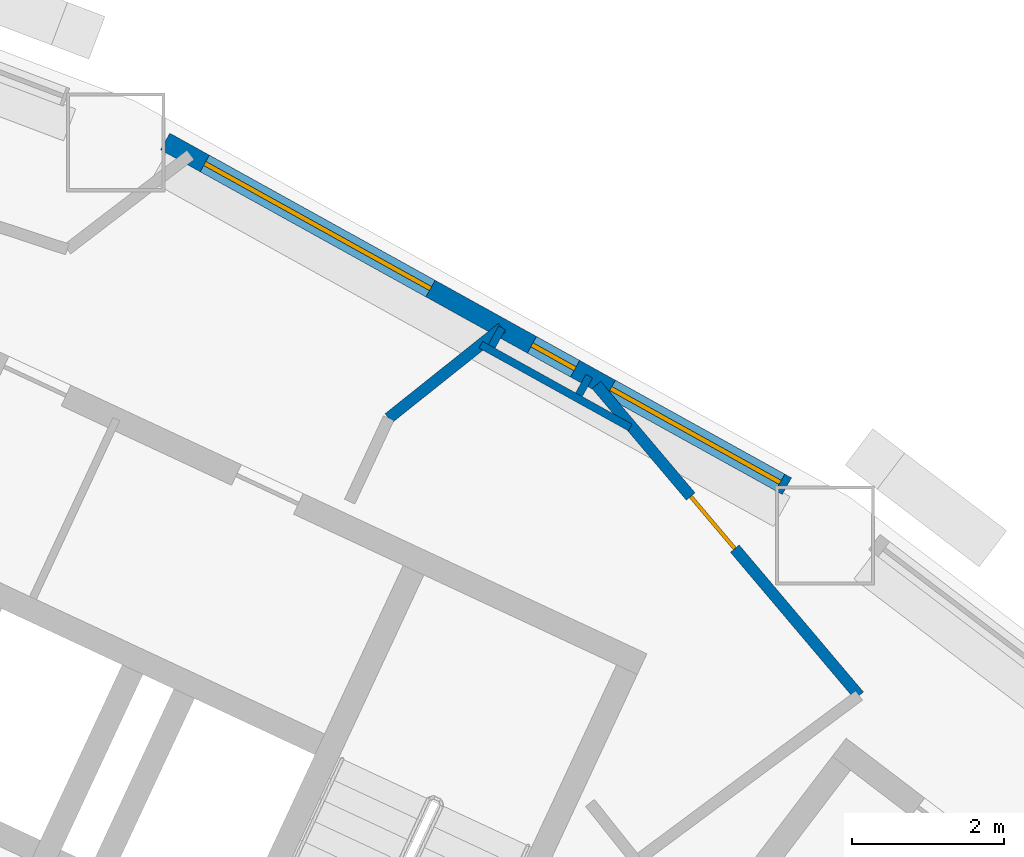
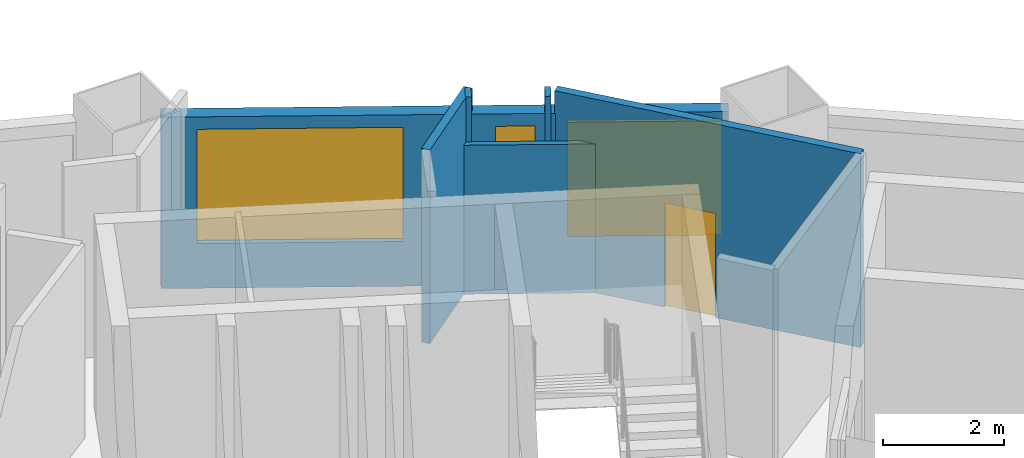
# One storey, part 8 of 11: 6 walls, 3 windows, 1 door, 4 openings.
"""IFC4 building model written with IfcOpenShell, lengths in metres."""

import ifcopenshell
import ifcopenshell.guid

model = None  # the IFC model being written
_history = None  # IfcOwnerHistory: only IFC2X3 demands one
_inside = {}  # id of a spatial element -> (the spatial element, [elements in it])
_under = {}  # id of a project, library or spatial element -> (it, [spatial elements below it])
_declared = {}  # id of a project -> (the project, [libraries it declares])
_typed = {}  # id of a type object -> (the type object, [elements of that type])
_made_of = {}  # id of a material, layer set ... -> (it, [elements and type objects made of it])


def new_model(schema):
    """Start an empty IFC model of exactly this schema.

    Asked for "IFC4X3", IfcOpenShell would pick the latest addendum, in which some entities
    have other attributes; the version numbers below select the first issue.
    IFC2X3 requires an IfcOwnerHistory on every rooted entity: one is made here for all.
    """
    global model, _history
    if schema == "IFC4X3":
        model = ifcopenshell.file(schema_version=(4, 3, 0, 0))
    else:
        model = ifcopenshell.file(schema=schema)
    _inside.clear()
    _under.clear()
    _declared.clear()
    _typed.clear()
    _made_of.clear()
    _history = None
    if model.schema == "IFC2X3":
        org = make("IfcOrganization", Name="unknown")
        user = make(
            "IfcPersonAndOrganization",
            ThePerson=make("IfcPerson", FamilyName="unknown"),
            TheOrganization=org,
        )
        app = make(
            "IfcApplication",
            ApplicationDeveloper=org,
            Version="unknown",
            ApplicationFullName="unknown",
            ApplicationIdentifier="unknown",
        )
        _history = make(
            "IfcOwnerHistory",
            OwningUser=user,
            OwningApplication=app,
            ChangeAction="ADDED",
            CreationDate=0,
        )
    return model


def make(cls, **values):
    """One entity of the class cls with the attributes given. An attribute that is None is left unset."""
    return model.create_entity(
        cls, **{name: value for name, value in values.items() if value is not None}
    )


def rooted(cls, **values):
    """An entity with a GlobalId (a new one), such as an element, a storey or a relation."""
    return make(cls, GlobalId=ifcopenshell.guid.new(), OwnerHistory=_history, **values)


def si_unit(unit_type, name, prefix=None):
    """IfcSIUnit, for example si_unit("LENGTHUNIT", "METRE", prefix="MILLI")."""
    return make("IfcSIUnit", UnitType=unit_type, Prefix=prefix, Name=name)


def assignment(units):
    """IfcUnitAssignment: the units of a project."""
    return None if units is None else make("IfcUnitAssignment", Units=units)


def point(xyz):
    """IfcCartesianPoint."""
    return None if xyz is None else make("IfcCartesianPoint", Coordinates=xyz)


def direction(xyz):
    """IfcDirection."""
    return None if xyz is None else make("IfcDirection", DirectionRatios=xyz)


def frame(location, z_axis=None, x_axis=None):
    """IfcAxis2Placement3D, a coordinate frame: its origin and axes. An axis left out is left unset."""
    return make(
        "IfcAxis2Placement3D",
        Location=point(location),
        Axis=direction(z_axis),
        RefDirection=direction(x_axis),
    )


def frame_2d(location, x_axis=None):
    """IfcAxis2Placement2D, a coordinate frame in the plane: its origin and x axis."""
    return make(
        "IfcAxis2Placement2D", Location=point(location), RefDirection=direction(x_axis)
    )


def origin():
    """The frame at (0, 0, 0) with its axes left unset."""
    return frame((0.0, 0.0, 0.0))


def place(relative_to, where):
    """IfcLocalPlacement: puts the frame where relative to a parent placement (None: the world)."""
    return make(
        "IfcLocalPlacement", PlacementRelTo=relative_to, RelativePlacement=where
    )


def context(
    kind, dimensions, precision=None, world=None, true_north=None, identifier=None
):
    """IfcGeometricRepresentationContext, for example the 3D "Model" context."""
    return make(
        "IfcGeometricRepresentationContext",
        ContextIdentifier=identifier,
        ContextType=kind,
        CoordinateSpaceDimension=dimensions,
        Precision=precision,
        WorldCoordinateSystem=world,
        TrueNorth=true_north,
    )


def subcontext(parent, identifier, kind, view, scale=None):
    """IfcGeometricRepresentationSubContext, for example "Body" below "Model"."""
    return make(
        "IfcGeometricRepresentationSubContext",
        ContextIdentifier=identifier,
        ContextType=kind,
        ParentContext=parent,
        TargetScale=scale,
        TargetView=view,
    )


def project(units=None, contexts=None):
    """IfcProject with its units and contexts."""
    return rooted(
        "IfcProject",
        Name="project",
        RepresentationContexts=contexts,
        UnitsInContext=assignment(units),
    )


def spatial(cls, under=None, at=None, **own):
    """A site, building, storey or space (cls), placed at a placement, below another one or the project."""
    s = rooted(cls, ObjectPlacement=at, **own)
    if under is not None:
        _under.setdefault(under.id(), (under, []))[1].append(s)
    return s


def profile(cls, at=None, kind="AREA", **sizes):
    """A parametric profile (cls). Its sizes go by their IFC names, for example OverallWidth=200.0."""
    return make(cls, ProfileType=kind, Position=at, **sizes)


def rectangle(**sizes):
    """IfcRectangleProfileDef."""
    return profile("IfcRectangleProfileDef", **sizes)


def extrude(swept, where, along, depth):
    """IfcExtrudedAreaSolid: the profile swept, set in the frame where, extruded along a direction by depth."""
    return make(
        "IfcExtrudedAreaSolid",
        SweptArea=swept,
        Position=where,
        ExtrudedDirection=direction(along),
        Depth=depth,
    )


def shape(context_of_items, identifier, shape_type, items):
    """IfcShapeRepresentation: the items that make up one representation, for example the "Body"."""
    return make(
        "IfcShapeRepresentation",
        ContextOfItems=context_of_items,
        RepresentationIdentifier=identifier,
        RepresentationType=shape_type,
        Items=items,
    )


def material(Name=None, Category=None):
    """IfcMaterial."""
    return make("IfcMaterial", Name=Name, Category=Category)


def layer(
    of_material, thickness, ventilated=None, Name=None, Category=None, Priority=None
):
    """IfcMaterialLayer: one layer of a wall or slab, of a material (None: an air gap)."""
    return make(
        "IfcMaterialLayer",
        Material=of_material,
        LayerThickness=thickness,
        IsVentilated=ventilated,
        Name=Name,
        Category=Category,
        Priority=Priority,
    )


def layer_set(layers, Name=None):
    """IfcMaterialLayerSet."""
    return make("IfcMaterialLayerSet", MaterialLayers=layers, LayerSetName=Name)


def made_of(thing, what):
    """Note that an element or type object is made of a material, layer set ...; save() writes the relation."""
    if what is not None:
        _made_of.setdefault(what.id(), (what, []))[1].append(thing)
    return thing


def type_object(cls, material=None, **own):
    """A type object (cls), such as IfcWallType, which elements share."""
    return made_of(rooted(cls, **own), material)


def element(
    cls,
    number,
    at=None,
    inside=None,
    cuts=None,
    type_object=None,
    material=None,
    context=None,
    identifier="Body",
    shape_type=None,
    held_by="IfcProductDefinitionShape",
    body=None,
    shapes=None,
    **own,
):
    """One element of the class cls, such as IfcWall. Its Tag is "e" and its number.

    at: its placement. inside: the storey or other place that contains it. cuts: it is an
    opening in that element (IfcRelVoidsElement). A single representation is given by context,
    identifier, shape_type and body (its items); several are given by shapes. held_by: the class
    of the entity that holds the representations. save() writes the other relations.
    """
    e = rooted(cls, Tag="e%d" % number, ObjectPlacement=at, **own)
    if body is not None:
        shapes = [shape(context, identifier, shape_type, body)]
    if shapes is not None:
        e.Representation = make(held_by, Representations=shapes)
    if inside is not None:
        _inside.setdefault(inside.id(), (inside, []))[1].append(e)
    if cuts is not None:
        rooted(
            "IfcRelVoidsElement", RelatingBuildingElement=cuts, RelatedOpeningElement=e
        )
    if type_object is not None:
        _typed.setdefault(type_object.id(), (type_object, []))[1].append(e)
    return made_of(e, material)


def fill(opening, filler):
    """IfcRelFillsElement: the door or window that sits in an opening."""
    return rooted(
        "IfcRelFillsElement",
        RelatingOpeningElement=opening,
        RelatedBuildingElement=filler,
    )


def aggregate(whole, parts):
    """IfcRelAggregates: a whole, such as a stair, and the parts it consists of."""
    return rooted("IfcRelAggregates", RelatingObject=whole, RelatedObjects=parts)


def save(model, path):
    """Write the relations noted so far, then the file.

    IfcRelAggregates (storeys below a building ...), IfcRelContainedInSpatialStructure (elements
    in a storey), IfcRelDefinesByType, IfcRelAssociatesMaterial and IfcRelDeclares: one each for
    every whole, place, type object, material and project.
    """
    for whole, parts in _under.values():
        aggregate(whole, parts)
    for where, things in _inside.values():
        rooted(
            "IfcRelContainedInSpatialStructure",
            RelatedElements=things,
            RelatingStructure=where,
        )
    for kind, things in _typed.values():
        rooted("IfcRelDefinesByType", RelatedObjects=things, RelatingType=kind)
    for what, things in _made_of.values():
        rooted("IfcRelAssociatesMaterial", RelatedObjects=things, RelatingMaterial=what)
    for by, libraries in _declared.values():
        rooted("IfcRelDeclares", RelatingContext=by, RelatedDefinitions=libraries)
    model.write(path)


model = new_model("IFC4")

# Units and contexts
model_context = context("Model", 3, precision=1e-05, world=origin(), true_north=direction((0.0, 1.0)))
body_context = subcontext(model_context, "Body", "Model", "MODEL_VIEW")
ifc_project = project(units=[si_unit("LENGTHUNIT", "METRE"), si_unit("AREAUNIT", "SQUARE_METRE"), si_unit("VOLUMEUNIT", "CUBIC_METRE"), si_unit("PLANEANGLEUNIT", "RADIAN"), si_unit("MASSUNIT", "GRAM", prefix="KILO")], contexts=[model_context])

# Site, building, storey
site_placement = place(None, origin())
site = spatial("IfcSite", under=ifc_project, at=site_placement, CompositionType="ELEMENT")
building_placement = place(site_placement, origin())
building = spatial("IfcBuilding", under=site, at=building_placement, Name="Tuul Gate Civic Tower", CompositionType="ELEMENT")
storey_placement = place(building_placement, frame((0.0, 0.0, 39.89990234375)))
storey = spatial("IfcBuildingStorey", under=building, at=storey_placement, Name="Level 08", CompositionType="ELEMENT", Elevation=39.89990234375)

# Wall
ifc_material_1 = material(Name="Gypsum board partition")
ifc_layer_1 = layer(ifc_material_1, 0.14990234375)
ifc_layer_set_1 = layer_set([ifc_layer_1], Name="Gypsum board partition")
wall_type_1 = type_object("IfcWallType", Name="Corridor wall P150", PredefinedType="PARTITIONING", material=ifc_layer_set_1)
wall_1_placement = place(storey_placement, frame((34.656005859375, 3.420654296875, 0.0), z_axis=(0.0, 0.0, 1.0), x_axis=(0.781915437201, 0.623384511411, 0.0)))
element("IfcWall", 1, at=wall_1_placement, inside=storey, type_object=wall_type_1, Name="p013", PredefinedType="PARTITIONING", context=body_context, shape_type="SweptSolid", body=[
    extrude(rectangle(XDim=1.90966796875, YDim=0.14990234375, at=frame_2d((0.954833984375, 0.0))), origin(), (0.0, 0.0, 1.0), 3.900146484375),
])

# Wall, opening, door
wall_2_placement = place(storey_placement, frame((37.392333984375, 3.85791015625, 0.0), z_axis=(0.0, 0.0, 1.0), x_axis=(0.645664327294, -0.763621356734, 0.0)))
wall_2 = element("IfcWall", 2, at=wall_2_placement, inside=storey, type_object=wall_type_1, Name="p014", PredefinedType="PARTITIONING", context=body_context, shape_type="SweptSolid", body=[
    extrude(rectangle(XDim=5.3564453125, YDim=0.14990234375, at=frame_2d((2.67822265625, 0.0))), origin(), (0.0, 0.0, 1.0), 3.900146484375),
])
opening_1_placement = place(wall_2_placement, frame((1.922119140625, 0.0, 0.0)))
opening_1 = element("IfcOpeningElement", 3, at=opening_1_placement, cuts=wall_2, Name="Opening B-D02", PredefinedType="OPENING", context=body_context, shape_type="SweptSolid", body=[
    extrude(rectangle(XDim=0.89990234375, YDim=2.10009765625, at=frame_2d((0.449951171875, 1.050048828125))), frame((0.0, 0.0849609375, 0.0), z_axis=(0.0, -1.0, 0.0), x_axis=(1.0, 0.0, 0.0)), (0.0, 0.0, 1.0), 0.169921875),
])
ifc_material_2 = material(Name="Timber door leaf", Category="wood")
door_type = type_object("IfcDoorType", Name="Door D09", OperationType="NOTDEFINED", PredefinedType="DOOR", material=ifc_material_2)
door_placement = place(opening_1_placement, frame((0.89990234375, 0.0, 0.0), z_axis=(0.0, 0.0, 1.0), x_axis=(-1.0, 0.0, 0.0)))
door = element("IfcDoor", 4, at=door_placement, inside=storey, type_object=door_type, Name="Door B-D02", OperationType="SINGLE_SWING_RIGHT", OverallHeight=2.10009765625, OverallWidth=0.89990234375, PredefinedType="DOOR", context=body_context, shape_type="SweptSolid", body=[
    extrude(rectangle(XDim=0.89990234375, YDim=2.10009765625, at=frame_2d((0.449951171875, 1.050048828125))), frame((0.0, 0.02490234375, 0.0), z_axis=(0.0, -1.0, 0.0), x_axis=(1.0, 0.0, 0.0)), (0.0, 0.0, 1.0), 0.050048828125),
])
fill(opening_1, door)

# Wall, openings, windows
ifc_material_3 = material(Name="Precast concrete C40/50", Category="concrete")
ifc_layer_2 = layer(ifc_material_3, 0.25)
ifc_layer_set_2 = layer_set([ifc_layer_2], Name="Precast concrete C40/50")
wall_type_2 = type_object("IfcWallType", Name="External wall", PredefinedType="STANDARD", material=ifc_layer_set_2)
wall_3_placement = place(storey_placement, frame((39.900390625, 2.52587890625, 0.0), z_axis=(0.0, 0.0, 1.0), x_axis=(-0.87462564428, 0.484798909206, 0.0)))
wall_3 = element("IfcWall", 5, at=wall_3_placement, inside=storey, type_object=wall_type_2, Name="External wall", PredefinedType="STANDARD", context=body_context, shape_type="SweptSolid", body=[
    extrude(rectangle(XDim=9.35986328125, YDim=0.25, at=frame_2d((4.679931640625, 0.0))), origin(), (0.0, 0.0, 1.0), 3.4501953125),
])
opening_2_placement = place(wall_3_placement, frame((0.10107421875, 0.0, 0.89990234375)))
opening_2 = element("IfcOpeningElement", 6, at=opening_2_placement, cuts=wall_3, Name="Opening W120", PredefinedType="OPENING", context=body_context, shape_type="SweptSolid", body=[
    extrude(rectangle(XDim=2.550048828125, YDim=2.300048828125, at=frame_2d((1.27490234375, 1.14990234375))), frame((0.0, 0.135009765625, 0.0), z_axis=(0.0, -1.0, 0.0), x_axis=(1.0, 0.0, 0.0)), (0.0, 0.0, 1.0), 0.27001953125),
])
opening_3_placement = place(wall_3_placement, frame((3.18896484375, 0.0, 0.89990234375)))
opening_3 = element("IfcOpeningElement", 7, at=opening_3_placement, cuts=wall_3, Name="Opening W31", PredefinedType="OPENING", context=body_context, shape_type="SweptSolid", body=[
    extrude(rectangle(XDim=0.64990234375, YDim=2.300048828125, at=frame_2d((0.324951171875, 1.14990234375))), frame((0.0, 0.135009765625, 0.0), z_axis=(0.0, -1.0, 0.0), x_axis=(1.0, 0.0, 0.0)), (0.0, 0.0, 1.0), 0.27001953125),
])
opening_4_placement = place(wall_3_placement, frame((5.3642578125, 0.0, 0.89990234375)))
opening_4 = element("IfcOpeningElement", 8, at=opening_4_placement, cuts=wall_3, Name="Opening W32", PredefinedType="OPENING", context=body_context, shape_type="SweptSolid", body=[
    extrude(rectangle(XDim=3.39990234375, YDim=2.300048828125, at=frame_2d((1.699951171875, 1.14990234375))), frame((0.0, 0.135009765625, 0.0), z_axis=(0.0, -1.0, 0.0), x_axis=(1.0, 0.0, 0.0)), (0.0, 0.0, 1.0), 0.27001953125),
])
ifc_material_4 = material(Name="Glass", Category="glass")
window_type_1 = type_object("IfcWindowType", Name="Window 3400 x 2300", PartitioningType="SINGLE_PANEL", PredefinedType="WINDOW", material=ifc_material_4)
window_1_placement = place(opening_4_placement, origin())
window_1 = element("IfcWindow", 9, at=window_1_placement, inside=storey, type_object=window_type_1, Name="Window", OverallHeight=2.300048828125, OverallWidth=3.39990234375, PartitioningType="SINGLE_PANEL", PredefinedType="WINDOW", context=body_context, shape_type="SweptSolid", body=[
    extrude(rectangle(XDim=3.39990234375, YDim=2.300048828125, at=frame_2d((1.699951171875, 1.14990234375))), frame((0.0, 0.030029296875, 0.0), z_axis=(0.0, -1.0, 0.0), x_axis=(1.0, 0.0, 0.0)), (0.0, 0.0, 1.0), 0.06005859375),
])
fill(opening_4, window_1)
ifc_material_5 = material(Name="Glass", Category="glass")
window_type_2 = type_object("IfcWindowType", Name="Window 650 x 2300", PartitioningType="SINGLE_PANEL", PredefinedType="WINDOW", material=ifc_material_5)
window_2_placement = place(opening_3_placement, origin())
window_2 = element("IfcWindow", 10, at=window_2_placement, inside=storey, type_object=window_type_2, Name="Window", OverallHeight=2.300048828125, OverallWidth=0.64990234375, PartitioningType="SINGLE_PANEL", PredefinedType="WINDOW", context=body_context, shape_type="SweptSolid", body=[
    extrude(rectangle(XDim=0.64990234375, YDim=2.300048828125, at=frame_2d((0.324951171875, 1.14990234375))), frame((0.0, 0.030029296875, 0.0), z_axis=(0.0, -1.0, 0.0), x_axis=(1.0, 0.0, 0.0)), (0.0, 0.0, 1.0), 0.06005859375),
])
fill(opening_3, window_2)
ifc_material_6 = material(Name="Glass", Category="glass")
window_type_3 = type_object("IfcWindowType", Name="Window W120 2550 x 2300", PartitioningType="SINGLE_PANEL", PredefinedType="WINDOW", material=ifc_material_6)
window_3_placement = place(opening_2_placement, origin())
window_3 = element("IfcWindow", 11, at=window_3_placement, inside=storey, type_object=window_type_3, Name="Window", OverallHeight=2.300048828125, OverallWidth=2.550048828125, PartitioningType="SINGLE_PANEL", PredefinedType="WINDOW", context=body_context, shape_type="SweptSolid", body=[
    extrude(rectangle(XDim=2.550048828125, YDim=2.300048828125, at=frame_2d((1.27490234375, 1.14990234375))), frame((0.0, 0.030029296875, 0.0), z_axis=(0.0, -1.0, 0.0), x_axis=(1.0, 0.0, 0.0)), (0.0, 0.0, 1.0), 0.06005859375),
])
fill(opening_2, window_3)

# Walls
ifc_material_7 = material(Name="Gypsum board partition")
ifc_layer_3 = layer(ifc_material_7, 0.10009765625)
ifc_layer_set_3 = layer_set([ifc_layer_3], Name="Gypsum board partition")
wall_type_3 = type_object("IfcWallType", Name="Partition P100", PredefinedType="PARTITIONING", material=ifc_layer_set_3)
for number, where, z_axis, x_axis, name in (
    (12, (36.149169921875, 4.611083984375, 0.0), (0.0, 0.0, 1.0), (-0.48549491249, -0.874239492329, 0.0), "p068"),
    (13, (37.2978515625, 3.974365234375, 0.0), (0.0, 0.0, 1.0), (-0.484828311518, -0.874609346137, 0.0), "p069"),
):
    element("IfcWall", number, at=place(storey_placement, frame(where, z_axis=z_axis, x_axis=x_axis)), inside=storey, type_object=wall_type_3, Name=name, PredefinedType="PARTITIONING", context=body_context, shape_type="SweptSolid", body=[
        extrude(rectangle(XDim=0.280029296875, YDim=0.10009765625, at=frame_2d((0.14013671875, 0.0))), origin(), (0.0, 0.0, 1.0), 3.900146484375),
    ])
ifc_material_8 = material(Name="Gypsum board partition")
ifc_layer_4 = layer(ifc_material_8, 0.10009765625)
ifc_layer_set_4 = layer_set([ifc_layer_4], Name="Gypsum board partition")
wall_type_4 = type_object("IfcWallType", Name="Partition P100 3000 HIGH", PredefinedType="PARTITIONING", material=ifc_layer_set_4)
wall_4_placement = place(storey_placement, frame((35.869873046875, 4.388427734375, 0.0), z_axis=(0.0, 0.0, 1.0), x_axis=(0.874643355886, -0.484766954324, 0.0)))
element("IfcWall", 14, at=wall_4_placement, inside=storey, type_object=wall_type_4, Name="p065", PredefinedType="PARTITIONING", context=body_context, shape_type="SweptSolid", body=[
    extrude(rectangle(XDim=2.248779296875, YDim=0.10009765625, at=frame_2d((1.12451171875, 0.0))), origin(), (0.0, 0.0, 1.0), 3.0),
])

save(model, "model.ifc")
